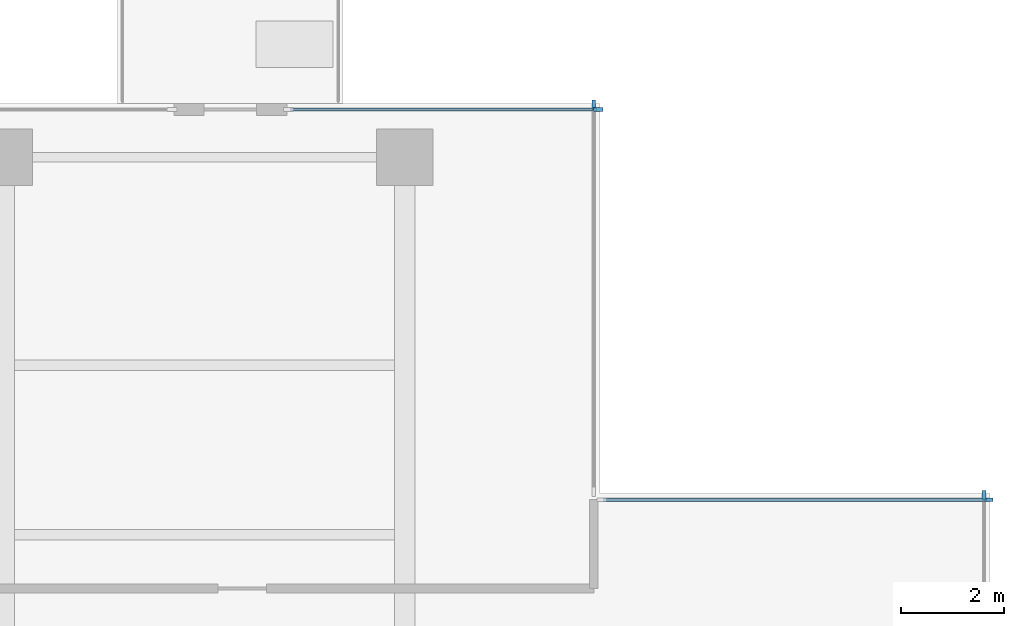
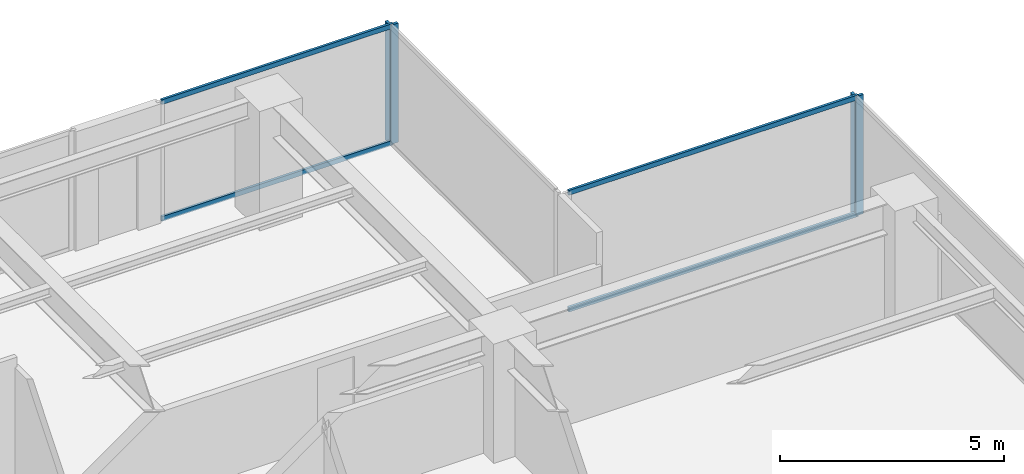
# One storey, part 5 of 15: 8 members, 4 elements without a shape of their own.
"""IFC4 building model written with IfcOpenShell, lengths in metres."""

import ifcopenshell
import ifcopenshell.guid

model = None  # the IFC model being written
_history = None  # IfcOwnerHistory: only IFC2X3 demands one
_inside = {}  # id of a spatial element -> (the spatial element, [elements in it])
_under = {}  # id of a project, library or spatial element -> (it, [spatial elements below it])
_declared = {}  # id of a project -> (the project, [libraries it declares])
_typed = {}  # id of a type object -> (the type object, [elements of that type])
_made_of = {}  # id of a material, layer set ... -> (it, [elements and type objects made of it])


def new_model(schema):
    """Start an empty IFC model of exactly this schema.

    Asked for "IFC4X3", IfcOpenShell would pick the latest addendum, in which some entities
    have other attributes; the version numbers below select the first issue.
    IFC2X3 requires an IfcOwnerHistory on every rooted entity: one is made here for all.
    """
    global model, _history
    if schema == "IFC4X3":
        model = ifcopenshell.file(schema_version=(4, 3, 0, 0))
    else:
        model = ifcopenshell.file(schema=schema)
    _inside.clear()
    _under.clear()
    _declared.clear()
    _typed.clear()
    _made_of.clear()
    _history = None
    if model.schema == "IFC2X3":
        org = make("IfcOrganization", Name="unknown")
        user = make(
            "IfcPersonAndOrganization",
            ThePerson=make("IfcPerson", FamilyName="unknown"),
            TheOrganization=org,
        )
        app = make(
            "IfcApplication",
            ApplicationDeveloper=org,
            Version="unknown",
            ApplicationFullName="unknown",
            ApplicationIdentifier="unknown",
        )
        _history = make(
            "IfcOwnerHistory",
            OwningUser=user,
            OwningApplication=app,
            ChangeAction="ADDED",
            CreationDate=0,
        )
    return model


def make(cls, **values):
    """One entity of the class cls with the attributes given. An attribute that is None is left unset."""
    return model.create_entity(
        cls, **{name: value for name, value in values.items() if value is not None}
    )


def rooted(cls, **values):
    """An entity with a GlobalId (a new one), such as an element, a storey or a relation."""
    return make(cls, GlobalId=ifcopenshell.guid.new(), OwnerHistory=_history, **values)


def si_unit(unit_type, name, prefix=None):
    """IfcSIUnit, for example si_unit("LENGTHUNIT", "METRE", prefix="MILLI")."""
    return make("IfcSIUnit", UnitType=unit_type, Prefix=prefix, Name=name)


def assignment(units):
    """IfcUnitAssignment: the units of a project."""
    return None if units is None else make("IfcUnitAssignment", Units=units)


def point(xyz):
    """IfcCartesianPoint."""
    return None if xyz is None else make("IfcCartesianPoint", Coordinates=xyz)


def direction(xyz):
    """IfcDirection."""
    return None if xyz is None else make("IfcDirection", DirectionRatios=xyz)


def frame(location, z_axis=None, x_axis=None):
    """IfcAxis2Placement3D, a coordinate frame: its origin and axes. An axis left out is left unset."""
    return make(
        "IfcAxis2Placement3D",
        Location=point(location),
        Axis=direction(z_axis),
        RefDirection=direction(x_axis),
    )


def frame_2d(location, x_axis=None):
    """IfcAxis2Placement2D, a coordinate frame in the plane: its origin and x axis."""
    return make(
        "IfcAxis2Placement2D", Location=point(location), RefDirection=direction(x_axis)
    )


def origin():
    """The frame at (0, 0, 0) with its axes left unset."""
    return frame((0.0, 0.0, 0.0))


def origin_2d():
    """The frame at (0, 0) in the plane with its x axis left unset."""
    return frame_2d((0.0, 0.0))


def place(relative_to, where):
    """IfcLocalPlacement: puts the frame where relative to a parent placement (None: the world)."""
    return make(
        "IfcLocalPlacement", PlacementRelTo=relative_to, RelativePlacement=where
    )


def context(
    kind, dimensions, precision=None, world=None, true_north=None, identifier=None
):
    """IfcGeometricRepresentationContext, for example the 3D "Model" context."""
    return make(
        "IfcGeometricRepresentationContext",
        ContextIdentifier=identifier,
        ContextType=kind,
        CoordinateSpaceDimension=dimensions,
        Precision=precision,
        WorldCoordinateSystem=world,
        TrueNorth=true_north,
    )


def subcontext(parent, identifier, kind, view, scale=None):
    """IfcGeometricRepresentationSubContext, for example "Body" below "Model"."""
    return make(
        "IfcGeometricRepresentationSubContext",
        ContextIdentifier=identifier,
        ContextType=kind,
        ParentContext=parent,
        TargetScale=scale,
        TargetView=view,
    )


def project(units=None, contexts=None):
    """IfcProject with its units and contexts."""
    return rooted(
        "IfcProject",
        Name="project",
        RepresentationContexts=contexts,
        UnitsInContext=assignment(units),
    )


def spatial(cls, under=None, at=None, **own):
    """A site, building, storey or space (cls), placed at a placement, below another one or the project."""
    s = rooted(cls, ObjectPlacement=at, **own)
    if under is not None:
        _under.setdefault(under.id(), (under, []))[1].append(s)
    return s


def profile(cls, at=None, kind="AREA", **sizes):
    """A parametric profile (cls). Its sizes go by their IFC names, for example OverallWidth=200.0."""
    return make(cls, ProfileType=kind, Position=at, **sizes)


def rectangle(**sizes):
    """IfcRectangleProfileDef."""
    return profile("IfcRectangleProfileDef", **sizes)


def extrude(swept, where, along, depth):
    """IfcExtrudedAreaSolid: the profile swept, set in the frame where, extruded along a direction by depth."""
    return make(
        "IfcExtrudedAreaSolid",
        SweptArea=swept,
        Position=where,
        ExtrudedDirection=direction(along),
        Depth=depth,
    )


def shape(context_of_items, identifier, shape_type, items):
    """IfcShapeRepresentation: the items that make up one representation, for example the "Body"."""
    return make(
        "IfcShapeRepresentation",
        ContextOfItems=context_of_items,
        RepresentationIdentifier=identifier,
        RepresentationType=shape_type,
        Items=items,
    )


def material(Name=None, Category=None):
    """IfcMaterial."""
    return make("IfcMaterial", Name=Name, Category=Category)


def layer(
    of_material, thickness, ventilated=None, Name=None, Category=None, Priority=None
):
    """IfcMaterialLayer: one layer of a wall or slab, of a material (None: an air gap)."""
    return make(
        "IfcMaterialLayer",
        Material=of_material,
        LayerThickness=thickness,
        IsVentilated=ventilated,
        Name=Name,
        Category=Category,
        Priority=Priority,
    )


def layer_set(layers, Name=None):
    """IfcMaterialLayerSet."""
    return make("IfcMaterialLayerSet", MaterialLayers=layers, LayerSetName=Name)


def material_profile(
    of_material, cross_section, Name=None, Category=None, Priority=None
):
    """IfcMaterialProfile: a cross section and its material."""
    return make(
        "IfcMaterialProfile",
        Name=Name,
        Material=of_material,
        Profile=cross_section,
        Priority=Priority,
        Category=Category,
    )


def profile_set(profiles, Name=None, composite=None):
    """IfcMaterialProfileSet."""
    return make(
        "IfcMaterialProfileSet",
        Name=Name,
        MaterialProfiles=profiles,
        CompositeProfile=composite,
    )


def made_of(thing, what):
    """Note that an element or type object is made of a material, layer set ...; save() writes the relation."""
    if what is not None:
        _made_of.setdefault(what.id(), (what, []))[1].append(thing)
    return thing


def type_object(cls, material=None, **own):
    """A type object (cls), such as IfcWallType, which elements share."""
    return made_of(rooted(cls, **own), material)


def element(
    cls,
    number,
    at=None,
    inside=None,
    cuts=None,
    type_object=None,
    material=None,
    context=None,
    identifier="Body",
    shape_type=None,
    held_by="IfcProductDefinitionShape",
    body=None,
    shapes=None,
    **own,
):
    """One element of the class cls, such as IfcWall. Its Tag is "e" and its number.

    at: its placement. inside: the storey or other place that contains it. cuts: it is an
    opening in that element (IfcRelVoidsElement). A single representation is given by context,
    identifier, shape_type and body (its items); several are given by shapes. held_by: the class
    of the entity that holds the representations. save() writes the other relations.
    """
    e = rooted(cls, Tag="e%d" % number, ObjectPlacement=at, **own)
    if body is not None:
        shapes = [shape(context, identifier, shape_type, body)]
    if shapes is not None:
        e.Representation = make(held_by, Representations=shapes)
    if inside is not None:
        _inside.setdefault(inside.id(), (inside, []))[1].append(e)
    if cuts is not None:
        rooted(
            "IfcRelVoidsElement", RelatingBuildingElement=cuts, RelatedOpeningElement=e
        )
    if type_object is not None:
        _typed.setdefault(type_object.id(), (type_object, []))[1].append(e)
    return made_of(e, material)


def aggregate(whole, parts):
    """IfcRelAggregates: a whole, such as a stair, and the parts it consists of."""
    return rooted("IfcRelAggregates", RelatingObject=whole, RelatedObjects=parts)


def save(model, path):
    """Write the relations noted so far, then the file.

    IfcRelAggregates (storeys below a building ...), IfcRelContainedInSpatialStructure (elements
    in a storey), IfcRelDefinesByType, IfcRelAssociatesMaterial and IfcRelDeclares: one each for
    every whole, place, type object, material and project.
    """
    for whole, parts in _under.values():
        aggregate(whole, parts)
    for where, things in _inside.values():
        rooted(
            "IfcRelContainedInSpatialStructure",
            RelatedElements=things,
            RelatingStructure=where,
        )
    for kind, things in _typed.values():
        rooted("IfcRelDefinesByType", RelatedObjects=things, RelatingType=kind)
    for what, things in _made_of.values():
        rooted("IfcRelAssociatesMaterial", RelatedObjects=things, RelatingMaterial=what)
    for by, libraries in _declared.values():
        rooted("IfcRelDeclares", RelatingContext=by, RelatedDefinitions=libraries)
    model.write(path)


model = new_model("IFC4")

# Units and contexts
model_context = context("Model", 3, precision=1e-05, world=origin(), true_north=direction((0.0, 1.0)))
body_context = subcontext(model_context, "Body", "Model", "MODEL_VIEW")
ifc_project = project(units=[si_unit("LENGTHUNIT", "METRE"), si_unit("AREAUNIT", "SQUARE_METRE"), si_unit("VOLUMEUNIT", "CUBIC_METRE"), si_unit("PLANEANGLEUNIT", "RADIAN"), si_unit("MASSUNIT", "GRAM", prefix="KILO")], contexts=[model_context])

# Site, building, storey
site_placement = place(None, origin())
site = spatial("IfcSite", under=ifc_project, at=site_placement, CompositionType="ELEMENT")
building_placement = place(site_placement, origin())
building = spatial("IfcBuilding", under=site, at=building_placement, Name="Qalmaran Belvedere Hotel", CompositionType="ELEMENT")
storey_placement = place(building_placement, frame((0.0, 0.0, 149.10009765625)))
storey = spatial("IfcBuildingStorey", under=building, at=storey_placement, Name="L37", CompositionType="ELEMENT", Elevation=149.10009765625)

# Curtain wall, member
ifc_material = material(Name="Anodised Bronze Aluminium", Category="aluminium")
ifc_layer = layer(ifc_material, 0.195068359375, Name="Anodised Bronze Aluminium")
ifc_layer_set = layer_set([ifc_layer], Name="Anodised Bronze Aluminium")
curtain_wall_type = type_object("IfcCurtainWallType", Name="CW4-TOWER-HIGHMID", PredefinedType="NOTDEFINED", material=ifc_layer_set)
curtain_wall_1_placement = place(storey_placement, origin())
curtain_wall_1 = element("IfcCurtainWall", 1, at=curtain_wall_1_placement, inside=storey, type_object=curtain_wall_type, Name="L37 Curtain Wall CW4", PredefinedType="NOTDEFINED")
ifc_material_profile_1 = material_profile(ifc_material, rectangle(XDim=0.070068359375, YDim=0.18994140625, at=origin_2d()), Name="CWM70X190")
ifc_profile_set_1 = profile_set([ifc_material_profile_1], Name="Anodised Bronze Aluminium")
member_type_1 = type_object("IfcMemberType", Name="CWM-70X190", PredefinedType="MULLION", material=ifc_profile_set_1)
member_1_placement = place(storey_placement, frame((56.080078125, 36.864990234375, 0.0), z_axis=(0.0, 0.0, 1.0), x_axis=(-1.0, 0.0, 0.0)))
member_1 = element("IfcMember", 2, at=member_1_placement, type_object=member_type_1, Name="CW4 mullion 4", PredefinedType="MULLION", context=body_context, shape_type="SweptSolid", body=[
    extrude(rectangle(XDim=0.070068359375, YDim=0.18994140625, at=origin_2d()), origin(), (0.0, 0.0, 1.0), 3.25),
])
aggregate(curtain_wall_1, [member_1])

curtain_wall_2_placement = place(storey_placement, origin())
curtain_wall_2 = element("IfcCurtainWall", 3, at=curtain_wall_2_placement, inside=storey, type_object=curtain_wall_type, Name="L37 Curtain Wall CW4", PredefinedType="NOTDEFINED")
member_2_placement = place(storey_placement, frame((56.1650390625, 36.780029296875, 0.0), z_axis=(0.0, 0.0, 1.0), x_axis=(0.0, -1.0, 0.0)))
member_2 = element("IfcMember", 4, at=member_2_placement, type_object=member_type_1, Name="CW4 mullion 1", PredefinedType="MULLION", context=body_context, shape_type="SweptSolid", body=[
    extrude(rectangle(XDim=0.070068359375, YDim=0.18994140625, at=origin_2d()), origin(), (0.0, 0.0, 1.0), 3.25),
])

curtain_wall_3_placement = place(storey_placement, origin())
curtain_wall_3 = element("IfcCurtainWall", 5, at=curtain_wall_3_placement, inside=storey, type_object=curtain_wall_type, Name="L37 Curtain Wall CW4", PredefinedType="NOTDEFINED")
member_3_placement = place(storey_placement, frame((48.47998046875, 44.465087890625, 0.0), z_axis=(0.0, 0.0, 1.0), x_axis=(-1.0, 0.0, 0.0)))
member_3 = element("IfcMember", 6, at=member_3_placement, type_object=member_type_1, Name="CW4 mullion 2", PredefinedType="MULLION", context=body_context, shape_type="SweptSolid", body=[
    extrude(rectangle(XDim=0.070068359375, YDim=0.18994140625, at=origin_2d()), origin(), (0.0, 0.0, 1.0), 3.25),
])
aggregate(curtain_wall_3, [member_3])

curtain_wall_4_placement = place(storey_placement, origin())
curtain_wall_4 = element("IfcCurtainWall", 7, at=curtain_wall_4_placement, inside=storey, type_object=curtain_wall_type, Name="L37 Curtain Wall CW4", PredefinedType="NOTDEFINED")
member_4_placement = place(storey_placement, frame((48.56494140625, 44.3798828125, 0.0), z_axis=(0.0, 0.0, 1.0), x_axis=(0.0, -1.0, 0.0)))
member_4 = element("IfcMember", 8, at=member_4_placement, type_object=member_type_1, Name="CW4 mullion 1", PredefinedType="MULLION", context=body_context, shape_type="SweptSolid", body=[
    extrude(rectangle(XDim=0.070068359375, YDim=0.18994140625, at=origin_2d()), origin(), (0.0, 0.0, 1.0), 3.25),
])

# Member
ifc_material_profile_2 = material_profile(ifc_material, rectangle(XDim=0.06494140625, YDim=0.1298828125, at=origin_2d()), Name="CWT65X130")
ifc_profile_set_2 = profile_set([ifc_material_profile_2], Name="Anodised Bronze Aluminium")
member_type_2 = type_object("IfcMemberType", Name="CWT-65X130", PredefinedType="USERDEFINED", material=ifc_profile_set_2)
member_5_placement = place(storey_placement, frame((56.1298828125, 36.780029296875, 0.032470703125), z_axis=(-1.0, 0.0, 0.0), x_axis=(0.0, -1.0, 0.0)))
member_5 = element("IfcMember", 9, at=member_5_placement, type_object=member_type_2, Name="CW4 transom 1.1", ObjectType="TRANSOM", PredefinedType="USERDEFINED", context=body_context, shape_type="SweptSolid", body=[
    extrude(rectangle(XDim=0.06494140625, YDim=0.1298828125, at=origin_2d()), origin(), (0.0, 0.0, 1.0), 7.4599609375),
])

member_6_placement = place(storey_placement, frame((56.1298828125, 36.780029296875, 3.21728515625), z_axis=(-1.0, 0.0, 0.0), x_axis=(0.0, -1.0, 0.0)))
member_6 = element("IfcMember", 10, at=member_6_placement, type_object=member_type_2, Name="CW4 transom 1.2", ObjectType="TRANSOM", PredefinedType="USERDEFINED", context=body_context, shape_type="SweptSolid", body=[
    extrude(rectangle(XDim=0.06494140625, YDim=0.1298828125, at=origin_2d()), origin(), (0.0, 0.0, 1.0), 7.4599609375),
])

aggregate(curtain_wall_2, [member_2, member_5, member_6])

member_7_placement = place(storey_placement, frame((48.530029296875, 44.3798828125, 0.032470703125), z_axis=(-1.0, 0.0, 0.0), x_axis=(0.0, -1.0, 0.0)))
member_7 = element("IfcMember", 11, at=member_7_placement, type_object=member_type_2, Name="CW4 transom 1.1", ObjectType="TRANSOM", PredefinedType="USERDEFINED", context=body_context, shape_type="SweptSolid", body=[
    extrude(rectangle(XDim=0.06494140625, YDim=0.1298828125, at=origin_2d()), origin(), (0.0, 0.0, 1.0), 5.9599609375),
])

member_8_placement = place(storey_placement, frame((48.530029296875, 44.3798828125, 3.21728515625), z_axis=(-1.0, 0.0, 0.0), x_axis=(0.0, -1.0, 0.0)))
member_8 = element("IfcMember", 12, at=member_8_placement, type_object=member_type_2, Name="CW4 transom 1.2", ObjectType="TRANSOM", PredefinedType="USERDEFINED", context=body_context, shape_type="SweptSolid", body=[
    extrude(rectangle(XDim=0.06494140625, YDim=0.1298828125, at=origin_2d()), origin(), (0.0, 0.0, 1.0), 5.9599609375),
])

aggregate(curtain_wall_4, [member_4, member_7, member_8])

save(model, "model.ifc")
